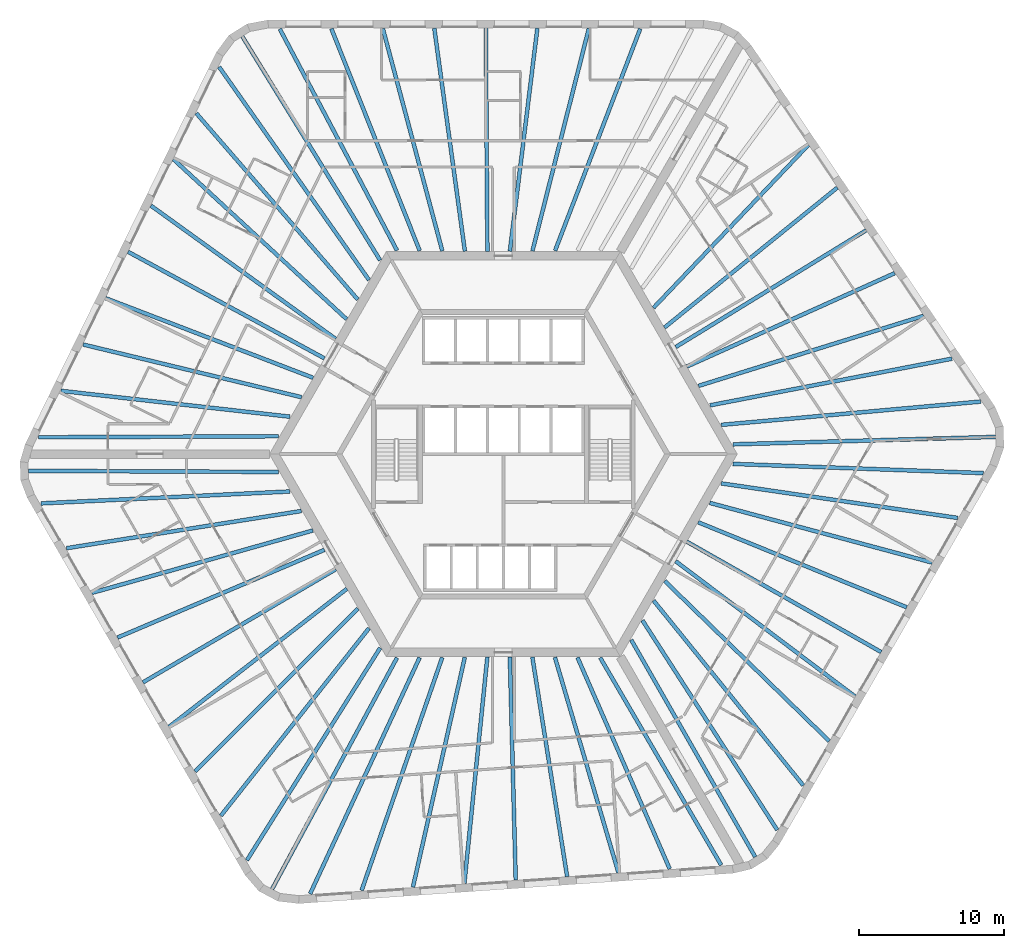
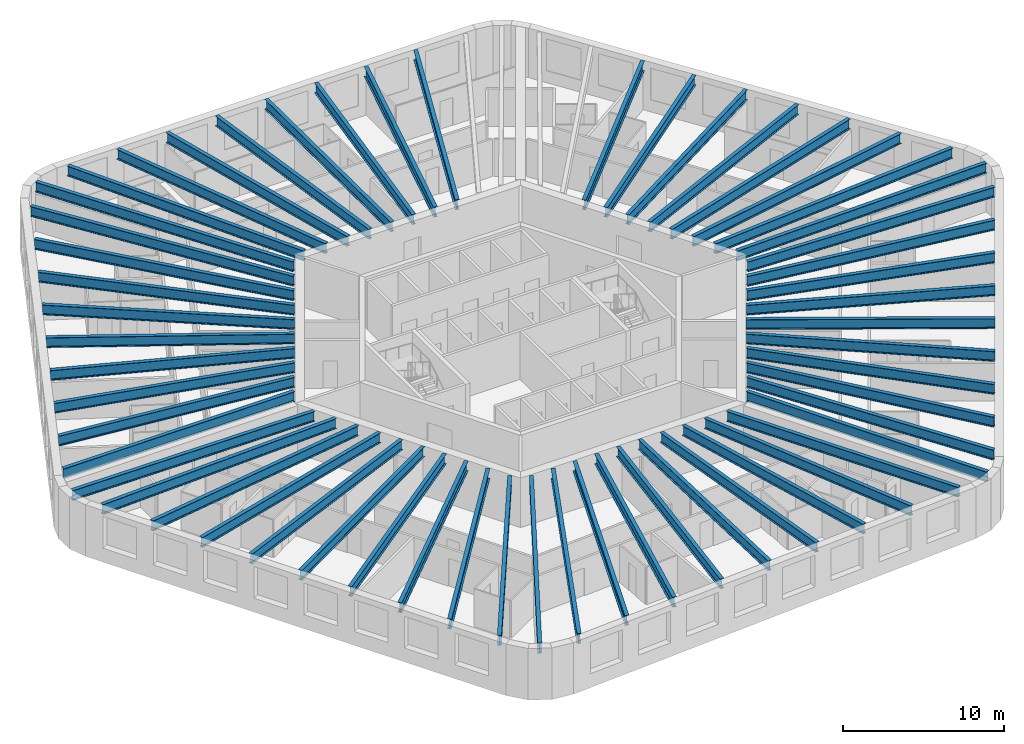
# One storey, part 1 of 12: 56 beams.
"""IFC4 building model written with IfcOpenShell, lengths in metres."""

from ifc_helpers import new_model, si_unit, direction, frame, origin, origin_2d, place, context, subcontext, project, spatial, i_section, extrude, material, material_profile, profile_set, type_object, element, save


model = new_model("IFC4")

# Units and contexts
model_context = context("Model", 3, precision=1e-05, world=origin(), true_north=direction((0.0, 1.0)))
body_context = subcontext(model_context, "Body", "Model", "MODEL_VIEW")
ifc_project = project(units=[si_unit("LENGTHUNIT", "METRE"), si_unit("AREAUNIT", "SQUARE_METRE"), si_unit("VOLUMEUNIT", "CUBIC_METRE"), si_unit("PLANEANGLEUNIT", "RADIAN"), si_unit("MASSUNIT", "GRAM", prefix="KILO")], contexts=[model_context])

# Site, building, storey
site_placement = place(None, origin())
site = spatial("IfcSite", under=ifc_project, at=site_placement, CompositionType="ELEMENT")
building_placement = place(site_placement, origin())
building = spatial("IfcBuilding", under=site, at=building_placement, Name="Tarnside Tower", CompositionType="ELEMENT")
storey_placement = place(building_placement, frame((0.0, 0.0, 138.89990234375)))
storey = spatial("IfcBuildingStorey", under=building, at=storey_placement, Name="L32", CompositionType="ELEMENT", Elevation=138.89990234375)

# Beams
ifc_material = material(Name="Steel S355", Category="steel")
ifc_material_profile_1 = material_profile(ifc_material, i_section(OverallWidth=0.26513671875, OverallDepth=0.75390625, WebThickness=0.0126953125, FlangeThickness=0.017578125, FilletRadius=0.0166015625, at=origin_2d()), Name="UB 762x267x147")
ifc_profile_set_1 = profile_set([ifc_material_profile_1], Name="Steel S355")
beam_type_1 = type_object("IfcBeamType", Name="Floor beam UB 762x267x147", PredefinedType="BEAM", material=ifc_profile_set_1)
beam_1_placement = place(storey_placement, frame((2.3525390625, 29.43017578125, 3.373046875), z_axis=(-0.122329629165, -0.992489527314, 0.0), x_axis=(0.992489527314, -0.122329629165, 0.0)))
element("IfcBeam", 1, at=beam_1_placement, inside=storey, type_object=beam_type_1, Name="Floor beam F1.04", PredefinedType="BEAM", context=body_context, shape_type="SweptSolid", body=[
    extrude(i_section(OverallWidth=0.26513671875, OverallDepth=0.75390625, WebThickness=0.0126953125, FlangeThickness=0.017578125, FilletRadius=0.0166015625, at=origin_2d()), origin(), (0.0, 0.0, 1.0), 15.527099609375),
])
beam_2_placement = place(storey_placement, frame((-1.208984375, 29.449951171875, 3.373046875), z_axis=(0.007000128723, -0.999975498799, 0.0), x_axis=(0.999975498799, 0.007000128723, 0.0)))
element("IfcBeam", 2, at=beam_2_placement, inside=storey, type_object=beam_type_1, Name="Floor beam F1.05", PredefinedType="BEAM", context=body_context, shape_type="SweptSolid", body=[
    extrude(i_section(OverallWidth=0.26513671875, OverallDepth=0.75390625, WebThickness=0.0126953125, FlangeThickness=0.017578125, FilletRadius=0.0166015625, at=origin_2d()), origin(), (0.0, 0.0, 1.0), 15.450439453125),
])
beam_3_placement = place(storey_placement, frame((-4.7705078125, 29.43017578125, 3.373046875), z_axis=(0.136000560933, -0.990708760144, 0.0), x_axis=(0.990708760144, 0.136000560933, 0.0)))
element("IfcBeam", 3, at=beam_3_placement, inside=storey, type_object=beam_type_1, Name="Floor beam F1.06", PredefinedType="BEAM", context=body_context, shape_type="SweptSolid", body=[
    extrude(i_section(OverallWidth=0.26513671875, OverallDepth=0.75390625, WebThickness=0.0126953125, FlangeThickness=0.017578125, FilletRadius=0.0166015625, at=origin_2d()), origin(), (0.0, 0.0, 1.0), 15.554931640625),
])
beam_4_placement = place(storey_placement, frame((-24.348876953125, 17.168212890625, 3.373046875), z_axis=(0.811027744825, -0.585007689799, 0.0), x_axis=(0.585007689799, 0.811027744825, 0.0)))
element("IfcBeam", 4, at=beam_4_placement, inside=storey, type_object=beam_type_1, Name="Floor beam F2.04", PredefinedType="BEAM", context=body_context, shape_type="SweptSolid", body=[
    extrude(i_section(OverallWidth=0.26513671875, OverallDepth=0.75390625, WebThickness=0.0126953125, FlangeThickness=0.017578125, FilletRadius=0.0166015625, at=origin_2d()), origin(), (0.0, 0.0, 1.0), 15.731689453125),
])
beam_5_placement = place(storey_placement, frame((-25.92626953125, 13.978271484375, 3.373046875), z_axis=(0.878894567679, -0.477016078245, 0.0), x_axis=(0.477016078245, 0.878894567679, 0.0)))
element("IfcBeam", 5, at=beam_5_placement, inside=storey, type_object=beam_type_1, Name="Floor beam F2.05", PredefinedType="BEAM", context=body_context, shape_type="SweptSolid", body=[
    extrude(i_section(OverallWidth=0.26513671875, OverallDepth=0.75390625, WebThickness=0.0126953125, FlangeThickness=0.017578125, FilletRadius=0.0166015625, at=origin_2d()), origin(), (0.0, 0.0, 1.0), 15.427490234375),
])
beam_6_placement = place(storey_placement, frame((-27.487548828125, 10.77734375, 3.373046875), z_axis=(0.933617702452, -0.358270827264, 0.0), x_axis=(0.358270827264, 0.933617702452, 0.0)))
element("IfcBeam", 6, at=beam_6_placement, inside=storey, type_object=beam_type_1, Name="Floor beam F2.06", PredefinedType="BEAM", context=body_context, shape_type="SweptSolid", body=[
    extrude(i_section(OverallWidth=0.26513671875, OverallDepth=0.75390625, WebThickness=0.0126953125, FlangeThickness=0.017578125, FilletRadius=0.0166015625, at=origin_2d()), origin(), (0.0, 0.0, 1.0), 15.363037109375),
])
beam_7_placement = place(storey_placement, frame((-29.029296875, 7.572509765625, 3.373046875), z_axis=(0.972101750991, -0.234559556873, 0.0), x_axis=(0.234559556873, 0.972101750991, 0.0)))
element("IfcBeam", 7, at=beam_7_placement, inside=storey, type_object=beam_type_1, Name="Floor beam F2.07", PredefinedType="BEAM", context=body_context, shape_type="SweptSolid", body=[
    extrude(i_section(OverallWidth=0.26513671875, OverallDepth=0.75390625, WebThickness=0.0126953125, FlangeThickness=0.017578125, FilletRadius=0.0166015625, at=origin_2d()), origin(), (0.0, 0.0, 1.0), 15.522216796875),
])
beam_8_placement = place(storey_placement, frame((-26.66357421875, -12.677734375, 3.373046875), z_axis=(0.920684021494, 0.390308765679, 0.0), x_axis=(-0.390308765679, 0.920684021494, 0.0)))
element("IfcBeam", 8, at=beam_8_placement, inside=storey, type_object=beam_type_1, Name="Floor beam F3.04", PredefinedType="BEAM", context=body_context, shape_type="SweptSolid", body=[
    extrude(i_section(OverallWidth=0.26513671875, OverallDepth=0.75390625, WebThickness=0.0126953125, FlangeThickness=0.017578125, FilletRadius=0.0166015625, at=origin_2d()), origin(), (0.0, 0.0, 1.0), 15.52685546875),
])
beam_9_placement = place(storey_placement, frame((-24.89990234375, -15.772216796875, 3.373046875), z_axis=(0.862497502004, 0.506061319443, 0.0), x_axis=(-0.506061319443, 0.862497502004, 0.0)))
element("IfcBeam", 9, at=beam_9_placement, inside=storey, type_object=beam_type_1, Name="Floor beam F3.05", PredefinedType="BEAM", context=body_context, shape_type="SweptSolid", body=[
    extrude(i_section(OverallWidth=0.26513671875, OverallDepth=0.75390625, WebThickness=0.0126953125, FlangeThickness=0.017578125, FilletRadius=0.0166015625, at=origin_2d()), origin(), (0.0, 0.0, 1.0), 15.450439453125),
])
beam_10_placement = place(storey_placement, frame((-23.10205078125, -18.846435546875, 3.373046875), z_axis=(0.789983963813, 0.613127504617, 0.0), x_axis=(-0.613127504617, 0.789983963813, 0.0)))
element("IfcBeam", 10, at=beam_10_placement, inside=storey, type_object=beam_type_1, Name="Floor beam F3.06", PredefinedType="BEAM", context=body_context, shape_type="SweptSolid", body=[
    extrude(i_section(OverallWidth=0.26513671875, OverallDepth=0.75390625, WebThickness=0.0126953125, FlangeThickness=0.017578125, FilletRadius=0.0166015625, at=origin_2d()), origin(), (0.0, 0.0, 1.0), 15.554931640625),
])
beam_11_placement = place(storey_placement, frame((-2.693603515625, -29.6708984375, 3.373046875), z_axis=(0.101123115756, 0.994873919379, 0.0), x_axis=(-0.994873919379, 0.101123115756, 0.0)))
element("IfcBeam", 11, at=beam_11_placement, inside=storey, type_object=beam_type_1, Name="Floor beam F4.04", PredefinedType="BEAM", context=body_context, shape_type="SweptSolid", body=[
    extrude(i_section(OverallWidth=0.26513671875, OverallDepth=0.75390625, WebThickness=0.0126953125, FlangeThickness=0.017578125, FilletRadius=0.0166015625, at=origin_2d()), origin(), (0.0, 0.0, 1.0), 15.7314453125),
])
beam_12_placement = place(storey_placement, frame((0.857666015625, -29.44189453125, 3.373046875), z_axis=(-0.026333316788, 0.999653218085, 0.0), x_axis=(-0.999653218085, -0.026333316788, 0.0)))
element("IfcBeam", 12, at=beam_12_placement, inside=storey, type_object=beam_type_1, Name="Floor beam F4.05", PredefinedType="BEAM", context=body_context, shape_type="SweptSolid", body=[
    extrude(i_section(OverallWidth=0.26513671875, OverallDepth=0.75390625, WebThickness=0.0126953125, FlangeThickness=0.017578125, FilletRadius=0.0166015625, at=origin_2d()), origin(), (0.0, 0.0, 1.0), 15.42724609375),
])
beam_13_placement = place(storey_placement, frame((4.41015625, -29.193603515625, 3.373046875), z_axis=(-0.156513375907, 0.98767583911, 0.0), x_axis=(-0.98767583911, -0.156513375907, 0.0)))
element("IfcBeam", 13, at=beam_13_placement, inside=storey, type_object=beam_type_1, Name="Floor beam F4.06", PredefinedType="BEAM", context=body_context, shape_type="SweptSolid", body=[
    extrude(i_section(OverallWidth=0.26513671875, OverallDepth=0.75390625, WebThickness=0.0126953125, FlangeThickness=0.017578125, FilletRadius=0.0166015625, at=origin_2d()), origin(), (0.0, 0.0, 1.0), 15.36328125),
])
beam_14_placement = place(storey_placement, frame((7.956787109375, -28.926513671875, 3.373046875), z_axis=(-0.282920694328, 0.959143305623, 0.0), x_axis=(-0.959143305623, -0.282920694328, 0.0)))
element("IfcBeam", 14, at=beam_14_placement, inside=storey, type_object=beam_type_1, Name="Floor beam F4.07", PredefinedType="BEAM", context=body_context, shape_type="SweptSolid", body=[
    extrude(i_section(OverallWidth=0.26513671875, OverallDepth=0.75390625, WebThickness=0.0126953125, FlangeThickness=0.017578125, FilletRadius=0.0166015625, at=origin_2d()), origin(), (0.0, 0.0, 1.0), 15.5224609375),
])
beam_15_placement = place(storey_placement, frame((24.31103515625, -16.75244140625, 3.373046875), z_axis=(-0.798361152727, 0.602178935049, 0.0), x_axis=(-0.602178935049, -0.798361152727, 0.0)))
element("IfcBeam", 15, at=beam_15_placement, inside=storey, type_object=beam_type_1, Name="Floor beam F5.04", PredefinedType="BEAM", context=body_context, shape_type="SweptSolid", body=[
    extrude(i_section(OverallWidth=0.26513671875, OverallDepth=0.75390625, WebThickness=0.0126953125, FlangeThickness=0.017578125, FilletRadius=0.0166015625, at=origin_2d()), origin(), (0.0, 0.0, 1.0), 15.527099609375),
])
beam_16_placement = place(storey_placement, frame((26.10888671875, -13.677978515625, 3.373046875), z_axis=(-0.869502520992, 0.493928502911, 0.0), x_axis=(-0.493928502911, -0.869502520992, 0.0)))
element("IfcBeam", 16, at=beam_16_placement, inside=storey, type_object=beam_type_1, Name="Floor beam F5.05", PredefinedType="BEAM", context=body_context, shape_type="SweptSolid", body=[
    extrude(i_section(OverallWidth=0.26513671875, OverallDepth=0.75390625, WebThickness=0.0126953125, FlangeThickness=0.017578125, FilletRadius=0.0166015625, at=origin_2d()), origin(), (0.0, 0.0, 1.0), 15.4501953125),
])
beam_17_placement = place(storey_placement, frame((27.87255859375, -10.58349609375, 3.373046875), z_axis=(-0.925981621163, 0.377568586177, 0.0), x_axis=(-0.377568586177, -0.925981621163, 0.0)))
element("IfcBeam", 17, at=beam_17_placement, inside=storey, type_object=beam_type_1, Name="Floor beam F5.06", PredefinedType="BEAM", context=body_context, shape_type="SweptSolid", body=[
    extrude(i_section(OverallWidth=0.26513671875, OverallDepth=0.75390625, WebThickness=0.0126953125, FlangeThickness=0.017578125, FilletRadius=0.0166015625, at=origin_2d()), origin(), (0.0, 0.0, 1.0), 15.554931640625),
])
beam_18_placement = place(storey_placement, frame((27.04248046875, 12.502685546875, 3.373046875), z_axis=(-0.912146413919, -0.409864513681, 0.0), x_axis=(0.409864513681, -0.912146413919, 0.0)))
element("IfcBeam", 18, at=beam_18_placement, inside=storey, type_object=beam_type_1, Name="Floor beam F6.04", PredefinedType="BEAM", context=body_context, shape_type="SweptSolid", body=[
    extrude(i_section(OverallWidth=0.26513671875, OverallDepth=0.75390625, WebThickness=0.0126953125, FlangeThickness=0.017578125, FilletRadius=0.0166015625, at=origin_2d()), origin(), (0.0, 0.0, 1.0), 15.7314453125),
])
beam_19_placement = place(storey_placement, frame((25.068603515625, 15.463623046875, 3.373046875), z_axis=(-0.852558490017, -0.522631821744, 0.0), x_axis=(0.522631821744, -0.852558490017, 0.0)))
element("IfcBeam", 19, at=beam_19_placement, inside=storey, type_object=beam_type_1, Name="Floor beam F6.05", PredefinedType="BEAM", context=body_context, shape_type="SweptSolid", body=[
    extrude(i_section(OverallWidth=0.26513671875, OverallDepth=0.75390625, WebThickness=0.0126953125, FlangeThickness=0.017578125, FilletRadius=0.0166015625, at=origin_2d()), origin(), (0.0, 0.0, 1.0), 15.42724609375),
])
beam_20_placement = place(storey_placement, frame((23.0771484375, 18.416259765625, 3.373046875), z_axis=(-0.777079423039, -0.629402550272, 0.0), x_axis=(0.629402550272, -0.777079423039, 0.0)))
element("IfcBeam", 20, at=beam_20_placement, inside=storey, type_object=beam_type_1, Name="Floor beam F6.06", PredefinedType="BEAM", context=body_context, shape_type="SweptSolid", body=[
    extrude(i_section(OverallWidth=0.26513671875, OverallDepth=0.75390625, WebThickness=0.0126953125, FlangeThickness=0.017578125, FilletRadius=0.0166015625, at=origin_2d()), origin(), (0.0, 0.0, 1.0), 15.36328125),
])
beam_21_placement = place(storey_placement, frame((21.072509765625, 21.35400390625, 3.373046875), z_axis=(-0.689174694318, -0.724595225427, 0.0), x_axis=(0.724595225427, -0.689174694318, 0.0)))
element("IfcBeam", 21, at=beam_21_placement, inside=storey, type_object=beam_type_1, Name="Floor beam F6.07", PredefinedType="BEAM", context=body_context, shape_type="SweptSolid", body=[
    extrude(i_section(OverallWidth=0.26513671875, OverallDepth=0.75390625, WebThickness=0.0126953125, FlangeThickness=0.017578125, FilletRadius=0.0166015625, at=origin_2d()), origin(), (0.0, 0.0, 1.0), 15.522216796875),
])
ifc_material_profile_2 = material_profile(ifc_material, i_section(OverallWidth=0.2666015625, OverallDepth=0.76220703125, WebThickness=0.014404296875, FlangeThickness=0.021484375, FilletRadius=0.0166015625, at=origin_2d()), Name="UB 762x267x173")
ifc_profile_set_2 = profile_set([ifc_material_profile_2], Name="Steel S355")
beam_type_2 = type_object("IfcBeamType", Name="Floor beam UB 762x267x173", PredefinedType="BEAM", material=ifc_profile_set_2)
beam_22_placement = place(storey_placement, frame((9.4619140625, 29.39404296875, 3.368896484375), z_axis=(-0.358299847269, -0.933606565662, 0.0), x_axis=(0.933606565662, -0.358299847269, 0.0)))
element("IfcBeam", 22, at=beam_22_placement, inside=storey, type_object=beam_type_2, Name="Floor beam F1.02", PredefinedType="BEAM", context=body_context, shape_type="SweptSolid", body=[
    extrude(i_section(OverallWidth=0.2666015625, OverallDepth=0.76220703125, WebThickness=0.014404296875, FlangeThickness=0.021484375, FilletRadius=0.0166015625, at=origin_2d()), origin(), (0.0, 0.0, 1.0), 16.428955078125),
])
beam_23_placement = place(storey_placement, frame((5.909423828125, 29.4111328125, 3.368896484375), z_axis=(-0.245747281389, -0.969333933013, 0.0), x_axis=(0.969333933013, -0.245747281389, 0.0)))
element("IfcBeam", 23, at=beam_23_placement, inside=storey, type_object=beam_type_2, Name="Floor beam F1.03", PredefinedType="BEAM", context=body_context, shape_type="SweptSolid", body=[
    extrude(i_section(OverallWidth=0.2666015625, OverallDepth=0.76220703125, WebThickness=0.014404296875, FlangeThickness=0.021484375, FilletRadius=0.0166015625, at=origin_2d()), origin(), (0.0, 0.0, 1.0), 15.858642578125),
])
beam_24_placement = place(storey_placement, frame((-8.3271484375, 29.411376953125, 3.368896484375), z_axis=(0.258447478572, -0.966025310652, 0.0), x_axis=(0.966025310652, 0.258447478572, 0.0)))
element("IfcBeam", 24, at=beam_24_placement, inside=storey, type_object=beam_type_2, Name="Floor beam F1.07", PredefinedType="BEAM", context=body_context, shape_type="SweptSolid", body=[
    extrude(i_section(OverallWidth=0.2666015625, OverallDepth=0.76220703125, WebThickness=0.014404296875, FlangeThickness=0.021484375, FilletRadius=0.0166015625, at=origin_2d()), origin(), (0.0, 0.0, 1.0), 15.91357421875),
])
beam_25_placement = place(storey_placement, frame((-11.87939453125, 29.394287109375, 3.368896484375), z_axis=(0.369638204477, -0.929175762593, 0.0), x_axis=(0.929175762593, 0.369638204477, 0.0)))
element("IfcBeam", 25, at=beam_25_placement, inside=storey, type_object=beam_type_2, Name="Floor beam F1.08", PredefinedType="BEAM", context=body_context, shape_type="SweptSolid", body=[
    extrude(i_section(OverallWidth=0.2666015625, OverallDepth=0.76220703125, WebThickness=0.014404296875, FlangeThickness=0.021484375, FilletRadius=0.0166015625, at=origin_2d()), origin(), (0.0, 0.0, 1.0), 16.507568359375),
])
beam_26_placement = place(storey_placement, frame((-15.44580078125, 29.37939453125, 3.368896484375), z_axis=(0.467741993634, -0.883865050441, 0.0), x_axis=(0.883865050441, 0.467741993634, 0.0)))
element("IfcBeam", 26, at=beam_26_placement, inside=storey, type_object=beam_type_2, Name="Floor beam F1.09", PredefinedType="BEAM", context=body_context, shape_type="SweptSolid", body=[
    extrude(i_section(OverallWidth=0.2666015625, OverallDepth=0.76220703125, WebThickness=0.014404296875, FlangeThickness=0.021484375, FilletRadius=0.0166015625, at=origin_2d()), origin(), (0.0, 0.0, 1.0), 17.320068359375),
])
beam_27_placement = place(storey_placement, frame((-18.042236328125, 28.8701171875, 3.368896484375), z_axis=(0.524382977035, -0.851482526771, 0.0), x_axis=(0.851482526771, 0.524382977035, 0.0)))
element("IfcBeam", 27, at=beam_27_placement, inside=storey, type_object=beam_type_2, Name="Floor beam C1", PredefinedType="BEAM", context=body_context, shape_type="SweptSolid", body=[
    extrude(i_section(OverallWidth=0.2666015625, OverallDepth=0.76220703125, WebThickness=0.014404296875, FlangeThickness=0.021484375, FilletRadius=0.0166015625, at=origin_2d()), origin(), (0.0, 0.0, 1.0), 18.1728515625),
])
beam_28_placement = place(storey_placement, frame((-19.638671875, 26.75537109375, 3.368896484375), z_axis=(0.575411427849, -0.817864101609, 0.0), x_axis=(0.817864101609, 0.575411427849, 0.0)))
element("IfcBeam", 28, at=beam_28_placement, inside=storey, type_object=beam_type_2, Name="Floor beam F2.01", PredefinedType="BEAM", context=body_context, shape_type="SweptSolid", body=[
    extrude(i_section(OverallWidth=0.2666015625, OverallDepth=0.76220703125, WebThickness=0.014404296875, FlangeThickness=0.021484375, FilletRadius=0.0166015625, at=origin_2d()), origin(), (0.0, 0.0, 1.0), 18.00048828125),
])
beam_29_placement = place(storey_placement, frame((-21.21630859375, 23.554931640625, 3.368896484375), z_axis=(0.654980748073, -0.755645564834, 0.0), x_axis=(0.755645564834, 0.654980748073, 0.0)))
element("IfcBeam", 29, at=beam_29_placement, inside=storey, type_object=beam_type_2, Name="Floor beam F2.02", PredefinedType="BEAM", context=body_context, shape_type="SweptSolid", body=[
    extrude(i_section(OverallWidth=0.2666015625, OverallDepth=0.76220703125, WebThickness=0.014404296875, FlangeThickness=0.021484375, FilletRadius=0.0166015625, at=origin_2d()), origin(), (0.0, 0.0, 1.0), 17.0302734375),
])
beam_30_placement = place(storey_placement, frame((-22.7890625, 20.368408203125, 3.368896484375), z_axis=(0.734715474517, -0.678375391288, 0.0), x_axis=(0.678375391288, 0.734715474517, 0.0)))
element("IfcBeam", 30, at=beam_30_placement, inside=storey, type_object=beam_type_2, Name="Floor beam F2.03", PredefinedType="BEAM", context=body_context, shape_type="SweptSolid", body=[
    extrude(i_section(OverallWidth=0.2666015625, OverallDepth=0.76220703125, WebThickness=0.014404296875, FlangeThickness=0.021484375, FilletRadius=0.0166015625, at=origin_2d()), origin(), (0.0, 0.0, 1.0), 16.2802734375),
])
beam_31_placement = place(storey_placement, frame((-30.570556640625, 4.372802734375, 3.368896484375), z_axis=(0.993687302776, -0.112185312326, 0.0), x_axis=(0.112185312326, 0.993687302776, 0.0)))
element("IfcBeam", 31, at=beam_31_placement, inside=storey, type_object=beam_type_2, Name="Floor beam F2.08", PredefinedType="BEAM", context=body_context, shape_type="SweptSolid", body=[
    extrude(i_section(OverallWidth=0.2666015625, OverallDepth=0.76220703125, WebThickness=0.014404296875, FlangeThickness=0.021484375, FilletRadius=0.0166015625, at=origin_2d()), origin(), (0.0, 0.0, 1.0), 15.934326171875),
])
beam_32_placement = place(storey_placement, frame((-32.119384765625, 1.162109375, 3.368896484375), z_axis=(0.999990508787, 0.004356872304, 0.0), x_axis=(-0.004356872304, 0.999990508787, 0.0)))
element("IfcBeam", 32, at=beam_32_placement, inside=storey, type_object=beam_type_2, Name="Floor beam F2.09", PredefinedType="BEAM", context=body_context, shape_type="SweptSolid", body=[
    extrude(i_section(OverallWidth=0.2666015625, OverallDepth=0.76220703125, WebThickness=0.014404296875, FlangeThickness=0.021484375, FilletRadius=0.0166015625, at=origin_2d()), origin(), (0.0, 0.0, 1.0), 16.586669921875),
])
beam_33_placement = place(storey_placement, frame((-32.80712890625, -1.1572265625, 3.368896484375), z_axis=(0.999990027056, -0.004466070929, 0.0), x_axis=(0.004466070929, 0.999990027056, 0.0)))
element("IfcBeam", 33, at=beam_33_placement, inside=storey, type_object=beam_type_2, Name="Floor beam C2", PredefinedType="BEAM", context=body_context, shape_type="SweptSolid", body=[
    extrude(i_section(OverallWidth=0.2666015625, OverallDepth=0.76220703125, WebThickness=0.014404296875, FlangeThickness=0.021484375, FilletRadius=0.0166015625, at=origin_2d()), origin(), (0.0, 0.0, 1.0), 17.2744140625),
])
beam_34_placement = place(storey_placement, frame((-31.95703125, -3.406494140625, 3.368896484375), z_axis=(0.998853818522, 0.047864905982, 0.0), x_axis=(-0.047864905982, 0.998853818522, 0.0)))
element("IfcBeam", 34, at=beam_34_placement, inside=storey, type_object=beam_type_2, Name="Floor beam F3.01", PredefinedType="BEAM", context=body_context, shape_type="SweptSolid", body=[
    extrude(i_section(OverallWidth=0.2666015625, OverallDepth=0.76220703125, WebThickness=0.014404296875, FlangeThickness=0.021484375, FilletRadius=0.0166015625, at=origin_2d()), origin(), (0.0, 0.0, 1.0), 17.2197265625),
])
beam_35_placement = place(storey_placement, frame((-30.18701171875, -6.502685546875, 3.368896484375), z_axis=(0.987678477078, 0.156496728136, 0.0), x_axis=(-0.156496728136, 0.987678477078, 0.0)))
element("IfcBeam", 35, at=beam_35_placement, inside=storey, type_object=beam_type_2, Name="Floor beam F3.02", PredefinedType="BEAM", context=body_context, shape_type="SweptSolid", body=[
    extrude(i_section(OverallWidth=0.2666015625, OverallDepth=0.76220703125, WebThickness=0.014404296875, FlangeThickness=0.021484375, FilletRadius=0.0166015625, at=origin_2d()), origin(), (0.0, 0.0, 1.0), 16.4287109375),
])
beam_36_placement = place(storey_placement, frame((-28.425537109375, -9.587890625, 3.368896484375), z_axis=(0.962342240503, 0.271840784547, 0.0), x_axis=(-0.271840784547, 0.962342240503, 0.0)))
element("IfcBeam", 36, at=beam_36_placement, inside=storey, type_object=beam_type_2, Name="Floor beam F3.03", PredefinedType="BEAM", context=body_context, shape_type="SweptSolid", body=[
    extrude(i_section(OverallWidth=0.2666015625, OverallDepth=0.76220703125, WebThickness=0.014404296875, FlangeThickness=0.021484375, FilletRadius=0.0166015625, at=origin_2d()), origin(), (0.0, 0.0, 1.0), 15.858642578125),
])
beam_37_placement = place(storey_placement, frame((-21.307373046875, -21.917236328125, 3.368896484375), z_axis=(0.707367544857, 0.706845921318, 0.0), x_axis=(-0.706845921318, 0.707367544857, 0.0)))
element("IfcBeam", 37, at=beam_37_placement, inside=storey, type_object=beam_type_2, Name="Floor beam F3.07", PredefinedType="BEAM", context=body_context, shape_type="SweptSolid", body=[
    extrude(i_section(OverallWidth=0.2666015625, OverallDepth=0.76220703125, WebThickness=0.014404296875, FlangeThickness=0.021484375, FilletRadius=0.0166015625, at=origin_2d()), origin(), (0.0, 0.0, 1.0), 15.913330078125),
])
beam_38_placement = place(storey_placement, frame((-19.516357421875, -24.985107421875, 3.368896484375), z_axis=(0.619872995007, 0.784702153725, 0.0), x_axis=(-0.784702153725, 0.619872995007, 0.0)))
element("IfcBeam", 38, at=beam_38_placement, inside=storey, type_object=beam_type_2, Name="Floor beam F3.08", PredefinedType="BEAM", context=body_context, shape_type="SweptSolid", body=[
    extrude(i_section(OverallWidth=0.2666015625, OverallDepth=0.76220703125, WebThickness=0.014404296875, FlangeThickness=0.021484375, FilletRadius=0.0166015625, at=origin_2d()), origin(), (0.0, 0.0, 1.0), 16.507568359375),
])
beam_39_placement = place(storey_placement, frame((-17.72021484375, -28.066162109375, 3.368896484375), z_axis=(0.531583085704, 0.847006152866, 0.0), x_axis=(-0.847006152866, 0.531583085704, 0.0)))
element("IfcBeam", 39, at=beam_39_placement, inside=storey, type_object=beam_type_2, Name="Floor beam F3.09", PredefinedType="BEAM", context=body_context, shape_type="SweptSolid", body=[
    extrude(i_section(OverallWidth=0.2666015625, OverallDepth=0.76220703125, WebThickness=0.014404296875, FlangeThickness=0.021484375, FilletRadius=0.0166015625, at=origin_2d()), origin(), (0.0, 0.0, 1.0), 17.320068359375),
])
beam_40_placement = place(storey_placement, frame((-15.981201171875, -30.060302734375, 3.368896484375), z_axis=(0.475208200571, 0.879873380726, 0.0), x_axis=(-0.879873380726, 0.475208200571, 0.0)))
element("IfcBeam", 40, at=beam_40_placement, inside=storey, type_object=beam_type_2, Name="Floor beam C3", PredefinedType="BEAM", context=body_context, shape_type="SweptSolid", body=[
    extrude(i_section(OverallWidth=0.2666015625, OverallDepth=0.76220703125, WebThickness=0.014404296875, FlangeThickness=0.021484375, FilletRadius=0.0166015625, at=origin_2d()), origin(), (0.0, 0.0, 1.0), 18.173095703125),
])
beam_41_placement = place(storey_placement, frame((-13.3515625, -30.38525390625, 3.368896484375), z_axis=(0.42059199668, 0.907249895193, 0.0), x_axis=(-0.907249895193, 0.42059199668, 0.0)))
element("IfcBeam", 41, at=beam_41_placement, inside=storey, type_object=beam_type_2, Name="Floor beam F4.01", PredefinedType="BEAM", context=body_context, shape_type="SweptSolid", body=[
    extrude(i_section(OverallWidth=0.2666015625, OverallDepth=0.76220703125, WebThickness=0.014404296875, FlangeThickness=0.021484375, FilletRadius=0.0166015625, at=origin_2d()), origin(), (0.0, 0.0, 1.0), 18.000244140625),
])
beam_42_placement = place(storey_placement, frame((-9.791015625, -30.151123046875, 3.368896484375), z_axis=(0.326912128872, 0.945054739153, 0.0), x_axis=(-0.945054739153, 0.326912128872, 0.0)))
element("IfcBeam", 42, at=beam_42_placement, inside=storey, type_object=beam_type_2, Name="Floor beam F4.02", PredefinedType="BEAM", context=body_context, shape_type="SweptSolid", body=[
    extrude(i_section(OverallWidth=0.2666015625, OverallDepth=0.76220703125, WebThickness=0.014404296875, FlangeThickness=0.021484375, FilletRadius=0.0166015625, at=origin_2d()), origin(), (0.0, 0.0, 1.0), 17.0302734375),
])
beam_43_placement = place(storey_placement, frame((-6.2451171875, -29.920166015625, 3.368896484375), z_axis=(0.220139818673, 0.975468328668, 0.0), x_axis=(-0.975468328668, 0.220139818673, 0.0)))
element("IfcBeam", 43, at=beam_43_placement, inside=storey, type_object=beam_type_2, Name="Floor beam F4.03", PredefinedType="BEAM", context=body_context, shape_type="SweptSolid", body=[
    extrude(i_section(OverallWidth=0.2666015625, OverallDepth=0.76220703125, WebThickness=0.014404296875, FlangeThickness=0.021484375, FilletRadius=0.0166015625, at=origin_2d()), origin(), (0.0, 0.0, 1.0), 16.280517578125),
])
beam_44_placement = place(storey_placement, frame((11.498291015625, -28.6611328125, 3.368896484375), z_axis=(-0.399695682658, 0.916647893831, 0.0), x_axis=(-0.916647893831, -0.399695682658, 0.0)))
element("IfcBeam", 44, at=beam_44_placement, inside=storey, type_object=beam_type_2, Name="Floor beam F4.08", PredefinedType="BEAM", context=body_context, shape_type="SweptSolid", body=[
    extrude(i_section(OverallWidth=0.2666015625, OverallDepth=0.76220703125, WebThickness=0.014404296875, FlangeThickness=0.021484375, FilletRadius=0.0166015625, at=origin_2d()), origin(), (0.0, 0.0, 1.0), 15.934326171875),
])
beam_45_placement = place(storey_placement, frame((15.05322265625, -28.3974609375, 3.368896484375), z_axis=(-0.503758455062, 0.86384455717, 0.0), x_axis=(-0.86384455717, -0.503758455062, 0.0)))
element("IfcBeam", 45, at=beam_45_placement, inside=storey, type_object=beam_type_2, Name="Floor beam F4.09", PredefinedType="BEAM", context=body_context, shape_type="SweptSolid", body=[
    extrude(i_section(OverallWidth=0.2666015625, OverallDepth=0.76220703125, WebThickness=0.014404296875, FlangeThickness=0.021484375, FilletRadius=0.0166015625, at=origin_2d()), origin(), (0.0, 0.0, 1.0), 16.586669921875),
])
beam_46_placement = place(storey_placement, frame((17.40576171875, -27.833251953125, 3.368896484375), z_axis=(-0.496126762138, 0.868250099851, 0.0), x_axis=(-0.868250099851, -0.496126762138, 0.0)))
element("IfcBeam", 46, at=beam_46_placement, inside=storey, type_object=beam_type_2, Name="Floor beam C4", PredefinedType="BEAM", context=body_context, shape_type="SweptSolid", body=[
    extrude(i_section(OverallWidth=0.2666015625, OverallDepth=0.76220703125, WebThickness=0.014404296875, FlangeThickness=0.021484375, FilletRadius=0.0166015625, at=origin_2d()), origin(), (0.0, 0.0, 1.0), 17.2744140625),
])
beam_47_placement = place(storey_placement, frame((18.9287109375, -25.972412109375, 3.368896484375), z_axis=(-0.540872954463, 0.841104302171, 0.0), x_axis=(-0.841104302171, -0.540872954463, 0.0)))
element("IfcBeam", 47, at=beam_47_placement, inside=storey, type_object=beam_type_2, Name="Floor beam F5.01", PredefinedType="BEAM", context=body_context, shape_type="SweptSolid", body=[
    extrude(i_section(OverallWidth=0.2666015625, OverallDepth=0.76220703125, WebThickness=0.014404296875, FlangeThickness=0.021484375, FilletRadius=0.0166015625, at=origin_2d()), origin(), (0.0, 0.0, 1.0), 17.2197265625),
])
beam_48_placement = place(storey_placement, frame((20.72509765625, -22.89111328125, 3.368896484375), z_axis=(-0.62939015525, 0.777089462336, 0.0), x_axis=(-0.777089462336, -0.62939015525, 0.0)))
element("IfcBeam", 48, at=beam_48_placement, inside=storey, type_object=beam_type_2, Name="Floor beam F5.02", PredefinedType="BEAM", context=body_context, shape_type="SweptSolid", body=[
    extrude(i_section(OverallWidth=0.2666015625, OverallDepth=0.76220703125, WebThickness=0.014404296875, FlangeThickness=0.021484375, FilletRadius=0.0166015625, at=origin_2d()), origin(), (0.0, 0.0, 1.0), 16.4287109375),
])
beam_49_placement = place(storey_placement, frame((22.51611328125, -19.8232421875, 3.368896484375), z_axis=(-0.716594696052, 0.697489814686, 0.0), x_axis=(-0.697489814686, -0.716594696052, 0.0)))
element("IfcBeam", 49, at=beam_49_placement, inside=storey, type_object=beam_type_2, Name="Floor beam F5.03", PredefinedType="BEAM", context=body_context, shape_type="SweptSolid", body=[
    extrude(i_section(OverallWidth=0.2666015625, OverallDepth=0.76220703125, WebThickness=0.014404296875, FlangeThickness=0.021484375, FilletRadius=0.0166015625, at=origin_2d()), origin(), (0.0, 0.0, 1.0), 15.858642578125),
])
beam_50_placement = place(storey_placement, frame((29.634521484375, -7.494140625, 3.368896484375), z_axis=(-0.965827851395, 0.259184415946, 0.0), x_axis=(-0.259184415946, -0.965827851395, 0.0)))
element("IfcBeam", 50, at=beam_50_placement, inside=storey, type_object=beam_type_2, Name="Floor beam F5.07", PredefinedType="BEAM", context=body_context, shape_type="SweptSolid", body=[
    extrude(i_section(OverallWidth=0.2666015625, OverallDepth=0.76220703125, WebThickness=0.014404296875, FlangeThickness=0.021484375, FilletRadius=0.0166015625, at=origin_2d()), origin(), (0.0, 0.0, 1.0), 15.913330078125),
])
beam_51_placement = place(storey_placement, frame((31.39599609375, -4.4091796875, 3.368896484375), z_axis=(-0.989507887412, 0.144478859177, 0.0), x_axis=(-0.144478859177, -0.989507887412, 0.0)))
element("IfcBeam", 51, at=beam_51_placement, inside=storey, type_object=beam_type_2, Name="Floor beam F5.08", PredefinedType="BEAM", context=body_context, shape_type="SweptSolid", body=[
    extrude(i_section(OverallWidth=0.2666015625, OverallDepth=0.76220703125, WebThickness=0.014404296875, FlangeThickness=0.021484375, FilletRadius=0.0166015625, at=origin_2d()), origin(), (0.0, 0.0, 1.0), 16.507568359375),
])
beam_52_placement = place(storey_placement, frame((33.166259765625, -1.31298828125, 3.368896484375), z_axis=(-0.999320941149, 0.036846391708, 0.0), x_axis=(-0.036846391708, -0.999320941149, 0.0)))
element("IfcBeam", 52, at=beam_52_placement, inside=storey, type_object=beam_type_2, Name="Floor beam F5.09", PredefinedType="BEAM", context=body_context, shape_type="SweptSolid", body=[
    extrude(i_section(OverallWidth=0.2666015625, OverallDepth=0.76220703125, WebThickness=0.014404296875, FlangeThickness=0.021484375, FilletRadius=0.0166015625, at=origin_2d()), origin(), (0.0, 0.0, 1.0), 17.320068359375),
])
beam_53_placement = place(storey_placement, frame((34.0234375, 1.18994140625, 3.368896484375), z_axis=(-0.999597013499, -0.028386803343, 0.0), x_axis=(0.028386803343, -0.999597013499, 0.0)))
element("IfcBeam", 53, at=beam_53_placement, inside=storey, type_object=beam_type_2, Name="Floor beam C5", PredefinedType="BEAM", context=body_context, shape_type="SweptSolid", body=[
    extrude(i_section(OverallWidth=0.2666015625, OverallDepth=0.76220703125, WebThickness=0.014404296875, FlangeThickness=0.021484375, FilletRadius=0.0166015625, at=origin_2d()), origin(), (0.0, 0.0, 1.0), 18.1728515625),
])
beam_54_placement = place(storey_placement, frame((32.990234375, 3.6298828125, 3.368896484375), z_axis=(-0.995997485142, -0.089381259731, 0.0), x_axis=(0.089381259731, -0.995997485142, 0.0)))
element("IfcBeam", 54, at=beam_54_placement, inside=storey, type_object=beam_type_2, Name="Floor beam F6.01", PredefinedType="BEAM", context=body_context, shape_type="SweptSolid", body=[
    extrude(i_section(OverallWidth=0.2666015625, OverallDepth=0.76220703125, WebThickness=0.014404296875, FlangeThickness=0.021484375, FilletRadius=0.0166015625, at=origin_2d()), origin(), (0.0, 0.0, 1.0), 18.000244140625),
])
beam_55_placement = place(storey_placement, frame((31.007080078125, 6.596435546875, 3.368896484375), z_axis=(-0.981896564922, -0.189417886679, 0.0), x_axis=(0.189417886679, -0.981896564922, 0.0)))
element("IfcBeam", 55, at=beam_55_placement, inside=storey, type_object=beam_type_2, Name="Floor beam F6.02", PredefinedType="BEAM", context=body_context, shape_type="SweptSolid", body=[
    extrude(i_section(OverallWidth=0.2666015625, OverallDepth=0.76220703125, WebThickness=0.014404296875, FlangeThickness=0.021484375, FilletRadius=0.0166015625, at=origin_2d()), origin(), (0.0, 0.0, 1.0), 17.0302734375),
])
beam_56_placement = place(storey_placement, frame((29.0341796875, 9.5517578125, 3.368896484375), z_axis=(-0.954846945108, -0.297098151152, 0.0), x_axis=(0.297098151152, -0.954846945108, 0.0)))
element("IfcBeam", 56, at=beam_56_placement, inside=storey, type_object=beam_type_2, Name="Floor beam F6.03", PredefinedType="BEAM", context=body_context, shape_type="SweptSolid", body=[
    extrude(i_section(OverallWidth=0.2666015625, OverallDepth=0.76220703125, WebThickness=0.014404296875, FlangeThickness=0.021484375, FilletRadius=0.0166015625, at=origin_2d()), origin(), (0.0, 0.0, 1.0), 16.280517578125),
])

save(model, "model.ifc")
